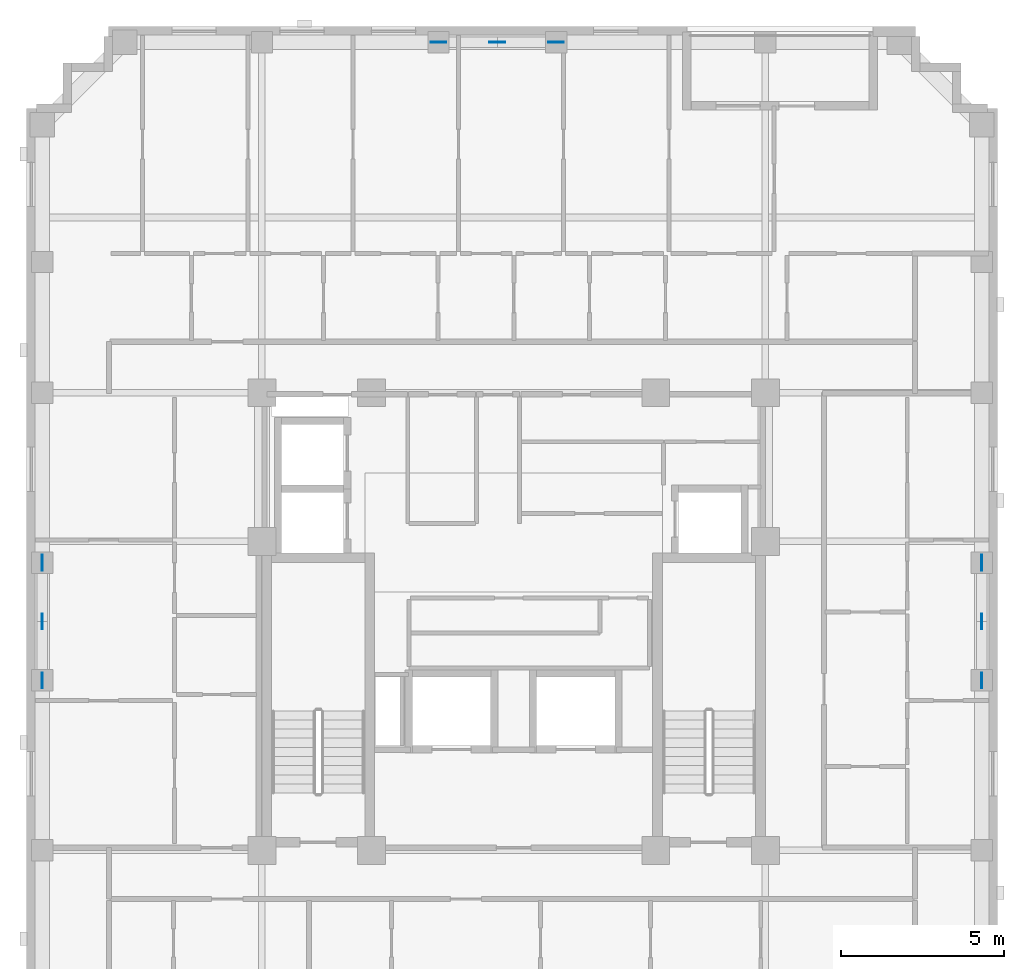
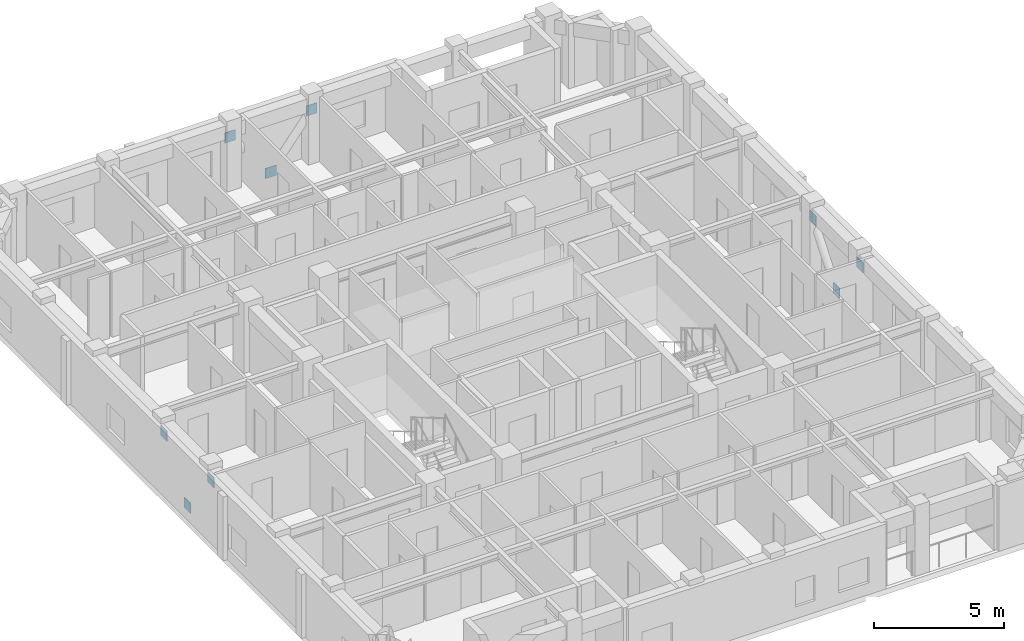
# One storey, part 9 of 11: 9 discrete accessories.
"""IFC4 building model written with IfcOpenShell, lengths in metres."""

from ifc_helpers import new_model, si_unit, derived_unit, direction, frame, origin, origin_2d, place, context, subcontext, project, spatial, rectangle, extrude, material, layer, layer_set, type_object, element, save


model = new_model("IFC4")

# Units and contexts
model_context = context("Model", 3, precision=1e-05, world=origin(), true_north=direction((0.0, 1.0)))
body_context = subcontext(model_context, "Body", "Model", "MODEL_VIEW")
ifc_project = project(units=[si_unit("LENGTHUNIT", "METRE"), si_unit("AREAUNIT", "SQUARE_METRE"), si_unit("VOLUMEUNIT", "CUBIC_METRE"), si_unit("PLANEANGLEUNIT", "RADIAN"), si_unit("MASSUNIT", "GRAM", prefix="KILO"), derived_unit("THERMALTRANSMITTANCEUNIT", [(si_unit("MASSUNIT", "GRAM", prefix="KILO"), 1), (si_unit("TIMEUNIT", "SECOND"), -3), (si_unit("THERMODYNAMICTEMPERATUREUNIT", "KELVIN"), -1)])], contexts=[model_context])

# Site, building, storey
site_placement = place(None, origin())
site = spatial("IfcSite", under=ifc_project, at=site_placement, CompositionType="ELEMENT")
building_placement = place(site_placement, origin())
building = spatial("IfcBuilding", under=site, at=building_placement, Name="Korrvale Station Residences", CompositionType="ELEMENT")
storey_placement = place(building_placement, frame((0.0, 0.0, 197.5)))
storey = spatial("IfcBuildingStorey", under=building, at=storey_placement, Name="L57", CompositionType="ELEMENT", Elevation=197.5)

# Discrete accessories
ifc_material = material(Name="Steel S355", Category="steel")
ifc_layer = layer(ifc_material, 0.02490234375, Name="Steel S355")
ifc_layer_set = layer_set([ifc_layer], Name="Steel S355")
discrete_accessory_type = type_object("IfcDiscreteAccessoryType", Name="ACC-GUSSET-25", PredefinedType="BRACKET", material=ifc_layer_set)
for number, where, z_axis, x_axis, name in (
    (1, (25.0, 39.719970703125, -0.219970703125), (0.0, 0.0, 1.0), (1.0, 0.0, 0.0), "L57 N Brace End Gusset Connection M"),
    (2, (23.199951171875, 39.719970703125, 2.070068359375), (0.0, 0.0, 1.0), (1.0, 0.0, 0.0), "L57 N Brace End Gusset Connection A"),
    (3, (26.800048828125, 39.719970703125, 2.070068359375), (0.0, 0.0, 1.0), (1.0, 0.0, 0.0), "L57 N Brace End Gusset Connection B"),
    (4, (11.080078125, 22.0, -0.219970703125), (0.0, 0.0, 1.0), (0.0, 1.0, 0.0), "L57 W Brace End Gusset Connection M"),
    (5, (11.080078125, 20.199951171875, 2.070068359375), (0.0, 0.0, 1.0), (0.0, 1.0, 0.0), "L57 W Brace End Gusset Connection A"),
    (6, (11.080078125, 23.800048828125, 2.070068359375), (0.0, 0.0, 1.0), (0.0, 1.0, 0.0), "L57 W Brace End Gusset Connection B"),
    (7, (39.820068359375, 22.0, -0.219970703125), (0.0, 0.0, 1.0), (0.0, 1.0, 0.0), "L57 E Brace End Gusset Connection M"),
    (8, (39.820068359375, 20.199951171875, 2.070068359375), (0.0, 0.0, 1.0), (0.0, 1.0, 0.0), "L57 E Brace End Gusset Connection A"),
    (9, (39.820068359375, 23.800048828125, 2.070068359375), (0.0, 0.0, 1.0), (0.0, 1.0, 0.0), "L57 E Brace End Gusset Connection B"),
):
    element("IfcDiscreteAccessory", number, at=place(storey_placement, frame(where, z_axis=z_axis, x_axis=x_axis)), inside=storey, type_object=discrete_accessory_type, Name=name, PredefinedType="BRACKET", context=body_context, shape_type="SweptSolid", body=[
        extrude(rectangle(XDim=0.47998046875, YDim=0.02490234375, at=origin_2d()), origin(), (0.0, 0.0, 1.0), 0.47998046875),
    ])

save(model, "model.ifc")
